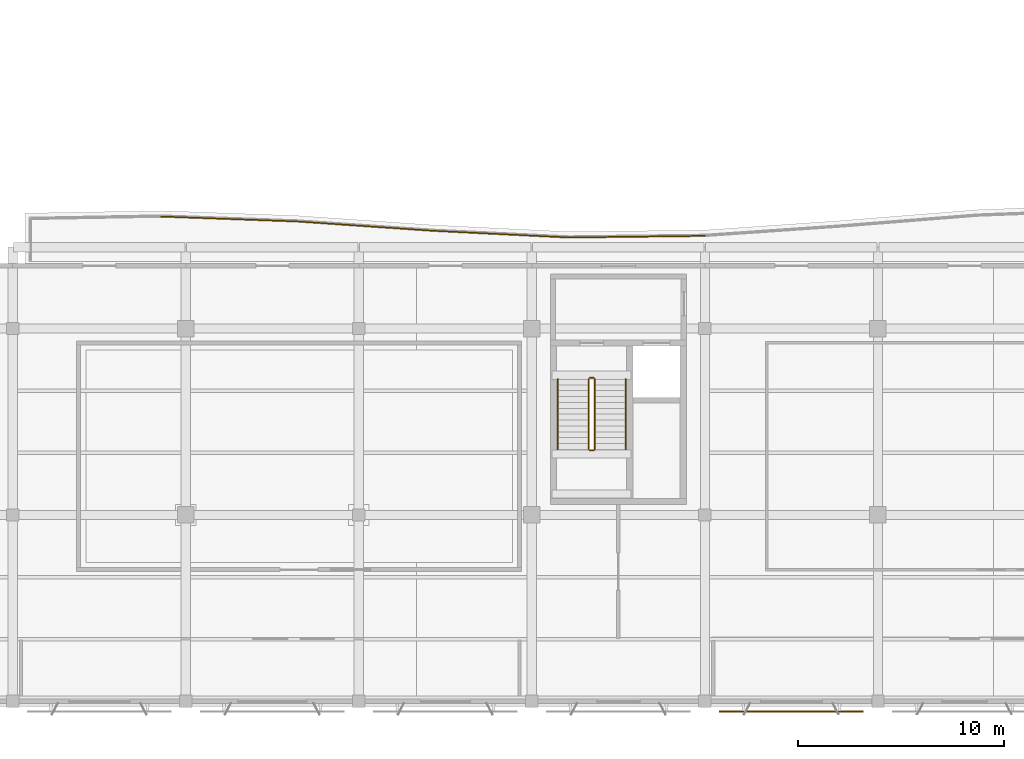
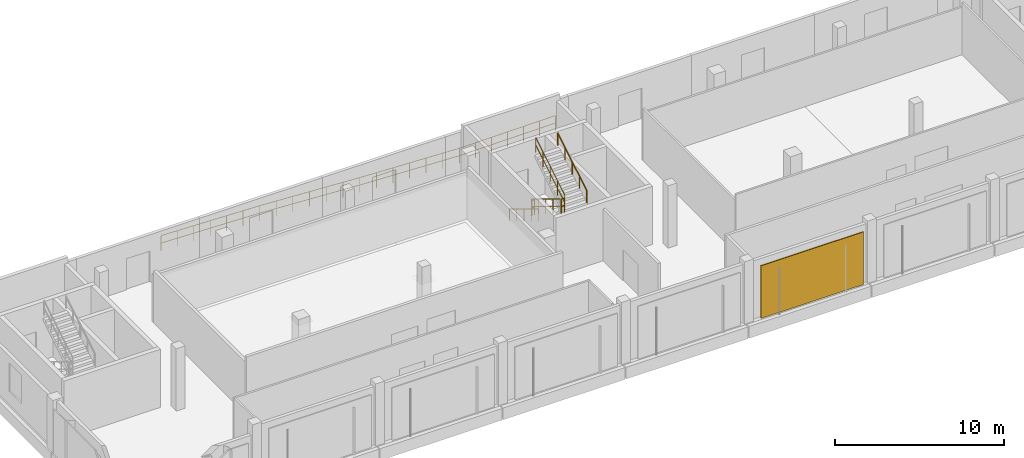
# One storey, part 25 of 28: 10 railings, 1 shading device.
"""IFC4 building model written with IfcOpenShell, lengths in metres."""

from ifc_helpers import new_model, si_unit, direction, frame, origin, origin_2d, place, context, subcontext, project, spatial, rectangle, circle, extrude, material, layer, layer_set, type_object, element, save


model = new_model("IFC4")

# Units and contexts
model_context = context("Model", 3, precision=1e-05, world=origin(), true_north=direction((0.0, 1.0)))
body_context = subcontext(model_context, "Body", "Model", "MODEL_VIEW")
ifc_project = project(units=[si_unit("LENGTHUNIT", "METRE"), si_unit("AREAUNIT", "SQUARE_METRE"), si_unit("VOLUMEUNIT", "CUBIC_METRE"), si_unit("PLANEANGLEUNIT", "RADIAN"), si_unit("MASSUNIT", "GRAM", prefix="KILO")], contexts=[model_context])

# Site, building, storey
site_placement = place(None, origin())
site = spatial("IfcSite", under=ifc_project, at=site_placement, CompositionType="ELEMENT")
building_placement = place(site_placement, origin())
building = spatial("IfcBuilding", under=site, at=building_placement, Name="Khurvash Pelagic Aquarium", CompositionType="ELEMENT")
storey_placement = place(building_placement, frame((0.0, 0.0, 20.10009765625)))
storey = spatial("IfcBuildingStorey", under=building, at=storey_placement, Name="L04", CompositionType="ELEMENT", Elevation=20.10009765625)

# Railings
ifc_material_1 = material(Name="Laminated glass and stainless steel 316", Category="steel")
railing_type_1 = type_object("IfcRailingType", Name="BL-01", PredefinedType="BALUSTRADE", material=ifc_material_1)
railing_1_placement = place(storey_placement, frame((40.797119140625, 26.137939453125, 0.0)))
element("IfcRailing", 1, at=railing_1_placement, inside=storey, type_object=railing_type_1, Name="L04 Planted Terrace Perimeter Balustrade BL-01 0058", PredefinedType="BALUSTRADE", context=body_context, shape_type="SweptSolid", body=[
    extrude(circle(Radius=0.02392578125, at=origin_2d()), frame((0.0, 0.0, 1.076171875), z_axis=(0.999353193624, -0.035961012119, 0.0), x_axis=(0.035961012119, 0.999353193624, 0.0)), (0.0, 0.0, 1.0), 6.592041015625),
    extrude(circle(Radius=0.02392578125, at=origin_2d()), frame((0.0, 0.0, 0.5380859375), z_axis=(0.999353193624, -0.035961012119, 0.0), x_axis=(0.035961012119, 0.999353193624, 0.0)), (0.0, 0.0, 1.0), 6.592041015625),
    extrude(circle(Radius=0.02099609375, at=origin_2d()), origin(), (0.0, 0.0, 1.0), 1.052001953125),
    extrude(circle(Radius=0.02099609375, at=origin_2d()), frame((1.097900390625, -0.03955078125, 0.0)), (0.0, 0.0, 1.0), 1.052001953125),
    extrude(circle(Radius=0.02099609375, at=origin_2d()), frame((2.196044921875, -0.0791015625, 0.0)), (0.0, 0.0, 1.0), 1.052001953125),
    extrude(circle(Radius=0.02099609375, at=origin_2d()), frame((3.2939453125, -0.11865234375, 0.0)), (0.0, 0.0, 1.0), 1.052001953125),
    extrude(circle(Radius=0.02099609375, at=origin_2d()), frame((4.391845703125, -0.157958984375, 0.0)), (0.0, 0.0, 1.0), 1.052001953125),
    extrude(circle(Radius=0.02099609375, at=origin_2d()), frame((5.489990234375, -0.197509765625, 0.0)), (0.0, 0.0, 1.0), 1.052001953125),
    extrude(circle(Radius=0.02099609375, at=origin_2d()), frame((6.587890625, -0.237060546875, 0.0)), (0.0, 0.0, 1.0), 1.052001953125),
])
railing_2_placement = place(storey_placement, frame((47.385009765625, 25.90087890625, 0.0)))
element("IfcRailing", 2, at=railing_2_placement, inside=storey, type_object=railing_type_1, Name="L04 Planted Terrace Perimeter Balustrade BL-01 0059", PredefinedType="BALUSTRADE", context=body_context, shape_type="SweptSolid", body=[
    extrude(circle(Radius=0.02392578125, at=origin_2d()), frame((0.0, 0.0, 1.076171875), z_axis=(0.997641066422, -0.068646213217, 0.0), x_axis=(0.068646213217, 0.997641066422, 0.0)), (0.0, 0.0, 1.0), 6.611572265625),
    extrude(circle(Radius=0.02392578125, at=origin_2d()), frame((0.0, 0.0, 0.5380859375), z_axis=(0.997641066422, -0.068646213217, 0.0), x_axis=(0.068646213217, 0.997641066422, 0.0)), (0.0, 0.0, 1.0), 6.611572265625),
    extrude(circle(Radius=0.02099609375, at=origin_2d()), origin(), (0.0, 0.0, 1.0), 1.052001953125),
    extrude(circle(Radius=0.02099609375, at=origin_2d()), frame((1.099365234375, -0.07568359375, 0.0)), (0.0, 0.0, 1.0), 1.052001953125),
    extrude(circle(Radius=0.02099609375, at=origin_2d()), frame((2.19873046875, -0.1513671875, 0.0)), (0.0, 0.0, 1.0), 1.052001953125),
    extrude(circle(Radius=0.02099609375, at=origin_2d()), frame((3.2978515625, -0.22705078125, 0.0)), (0.0, 0.0, 1.0), 1.052001953125),
    extrude(circle(Radius=0.02099609375, at=origin_2d()), frame((4.397216796875, -0.302490234375, 0.0)), (0.0, 0.0, 1.0), 1.052001953125),
    extrude(circle(Radius=0.02099609375, at=origin_2d()), frame((5.49658203125, -0.378173828125, 0.0)), (0.0, 0.0, 1.0), 1.052001953125),
    extrude(circle(Radius=0.02099609375, at=origin_2d()), frame((6.595947265625, -0.453857421875, 0.0)), (0.0, 0.0, 1.0), 1.052001953125),
])
railing_3_placement = place(storey_placement, frame((53.986083984375, 25.446044921875, 0.0)))
element("IfcRailing", 3, at=railing_3_placement, inside=storey, type_object=railing_type_1, Name="L04 Planted Terrace Perimeter Balustrade BL-01 0060", PredefinedType="BALUSTRADE", context=body_context, shape_type="SweptSolid", body=[
    extrude(circle(Radius=0.02392578125, at=origin_2d()), frame((0.0, 0.0, 1.076171875), z_axis=(0.998790101631, -0.049176548118, 0.0), x_axis=(0.049176548118, 0.998790101631, 0.0)), (0.0, 0.0, 1.0), 6.60791015625),
    extrude(circle(Radius=0.02392578125, at=origin_2d()), frame((0.0, 0.0, 0.5380859375), z_axis=(0.998790101631, -0.049176548118, 0.0), x_axis=(0.049176548118, 0.998790101631, 0.0)), (0.0, 0.0, 1.0), 6.60791015625),
    extrude(circle(Radius=0.02099609375, at=origin_2d()), origin(), (0.0, 0.0, 1.0), 1.052001953125),
    extrude(circle(Radius=0.02099609375, at=origin_2d()), frame((1.10009765625, -0.05419921875, 0.0)), (0.0, 0.0, 1.0), 1.052001953125),
    extrude(circle(Radius=0.02099609375, at=origin_2d()), frame((2.199951171875, -0.1083984375, 0.0)), (0.0, 0.0, 1.0), 1.052001953125),
    extrude(circle(Radius=0.02099609375, at=origin_2d()), frame((3.2998046875, -0.16259765625, 0.0)), (0.0, 0.0, 1.0), 1.052001953125),
    extrude(circle(Radius=0.02099609375, at=origin_2d()), frame((4.39990234375, -0.216552734375, 0.0)), (0.0, 0.0, 1.0), 1.052001953125),
    extrude(circle(Radius=0.02099609375, at=origin_2d()), frame((5.5, -0.270751953125, 0.0)), (0.0, 0.0, 1.0), 1.052001953125),
    extrude(circle(Radius=0.02099609375, at=origin_2d()), frame((6.599853515625, -0.324951171875, 0.0)), (0.0, 0.0, 1.0), 1.052001953125),
])
railing_4_placement = place(storey_placement, frame((60.60302734375, 25.12109375, 0.0)))
element("IfcRailing", 4, at=railing_4_placement, inside=storey, type_object=railing_type_1, Name="L04 Planted Terrace Perimeter Balustrade BL-01 0061", PredefinedType="BALUSTRADE", context=body_context, shape_type="SweptSolid", body=[
    extrude(circle(Radius=0.02392578125, at=origin_2d()), frame((0.0, 0.0, 1.076171875), z_axis=(0.999928625996, 0.01194750661, 0.0), x_axis=(-0.01194750661, 0.999928625996, 0.0)), (0.0, 0.0, 1.0), 6.600341796875),
    extrude(circle(Radius=0.02392578125, at=origin_2d()), frame((0.0, 0.0, 0.5380859375), z_axis=(0.999928625996, 0.01194750661, 0.0), x_axis=(-0.01194750661, 0.999928625996, 0.0)), (0.0, 0.0, 1.0), 6.600341796875),
    extrude(circle(Radius=0.02099609375, at=origin_2d()), origin(), (0.0, 0.0, 1.0), 1.052001953125),
    extrude(circle(Radius=0.02099609375, at=origin_2d()), frame((1.10009765625, 0.01318359375, 0.0)), (0.0, 0.0, 1.0), 1.052001953125),
    extrude(circle(Radius=0.02099609375, at=origin_2d()), frame((2.199951171875, 0.0263671875, 0.0)), (0.0, 0.0, 1.0), 1.052001953125),
    extrude(circle(Radius=0.02099609375, at=origin_2d()), frame((3.2998046875, 0.03955078125, 0.0)), (0.0, 0.0, 1.0), 1.052001953125),
    extrude(circle(Radius=0.02099609375, at=origin_2d()), frame((4.39990234375, 0.052490234375, 0.0)), (0.0, 0.0, 1.0), 1.052001953125),
    extrude(circle(Radius=0.02099609375, at=origin_2d()), frame((5.5, 0.065673828125, 0.0)), (0.0, 0.0, 1.0), 1.052001953125),
    extrude(circle(Radius=0.02099609375, at=origin_2d()), frame((6.599853515625, 0.078857421875, 0.0)), (0.0, 0.0, 1.0), 1.052001953125),
])
ifc_material_2 = material(Name="Powder-coated galvanised steel S355J2", Category="steel")
railing_type_2 = type_object("IfcRailingType", Name="GR-01", PredefinedType="GUARDRAIL", material=ifc_material_2)
railing_5_placement = place(storey_placement, frame((61.550048828125, 18.25, 0.173095703125)))
element("IfcRailing", 5, at=railing_5_placement, inside=storey, type_object=railing_type_2, Name="L04 ST-02 stair guard 1", PredefinedType="GUARDRAIL", context=body_context, shape_type="SweptSolid", body=[
    extrude(circle(Radius=0.02392578125, at=origin_2d()), frame((0.0, 0.0, 1.076171875), z_axis=(0.0, -0.854729506542, 0.519073665916), x_axis=(1.0, 0.0, 0.0)), (0.0, 0.0, 1.0), 4.001220703125),
    extrude(circle(Radius=0.02392578125, at=origin_2d()), frame((0.0, 0.0, 0.5380859375), z_axis=(0.0, -0.854729506542, 0.519073665916), x_axis=(1.0, 0.0, 0.0)), (0.0, 0.0, 1.0), 4.001220703125),
    extrude(circle(Radius=0.02099609375, at=origin_2d()), origin(), (0.0, 0.0, 1.0), 1.052001953125),
    extrude(circle(Radius=0.02099609375, at=origin_2d()), frame((0.0, -0.85498046875, 0.519287109375)), (0.0, 0.0, 1.0), 1.052001953125),
    extrude(circle(Radius=0.02099609375, at=origin_2d()), frame((0.0, -1.7099609375, 1.03857421875)), (0.0, 0.0, 1.0), 1.052001953125),
    extrude(circle(Radius=0.02099609375, at=origin_2d()), frame((0.0, -2.56494140625, 1.5576171875)), (0.0, 0.0, 1.0), 1.052001953125),
    extrude(circle(Radius=0.02099609375, at=origin_2d()), frame((0.0, -3.419921875, 2.076904296875)), (0.0, 0.0, 1.0), 1.052001953125),
])
railing_6_placement = place(storey_placement, frame((61.60009765625, 14.780029296875, 2.25)))
element("IfcRailing", 6, at=railing_6_placement, inside=storey, type_object=railing_type_2, Name="L04 ST-02 stair guard 2", PredefinedType="GUARDRAIL", context=body_context, shape_type="SweptSolid", body=[
    extrude(circle(Radius=0.02392578125, at=origin_2d()), frame((0.0, 0.0, 1.076171875), z_axis=(1.0, 0.0, 0.0), x_axis=(0.0, 1.0, 0.0)), (0.0, 0.0, 1.0), 0.199951171875),
    extrude(circle(Radius=0.02392578125, at=origin_2d()), frame((0.0, 0.0, 0.5380859375), z_axis=(1.0, 0.0, 0.0), x_axis=(0.0, 1.0, 0.0)), (0.0, 0.0, 1.0), 0.199951171875),
    extrude(circle(Radius=0.02099609375, at=origin_2d()), origin(), (0.0, 0.0, 1.0), 1.052001953125),
    extrude(circle(Radius=0.02099609375, at=origin_2d()), frame((0.199951171875, 0.0, 0.0)), (0.0, 0.0, 1.0), 1.052001953125),
])
railing_7_placement = place(storey_placement, frame((61.85009765625, 14.830078125, 2.423095703125)))
element("IfcRailing", 7, at=railing_7_placement, inside=storey, type_object=railing_type_2, Name="L04 ST-02 stair guard 3", PredefinedType="GUARDRAIL", context=body_context, shape_type="SweptSolid", body=[
    extrude(circle(Radius=0.02392578125, at=origin_2d()), frame((0.0, 0.0, 1.076171875), z_axis=(0.0, 0.854729506542, 0.519073665916), x_axis=(-1.0, 0.0, 0.0)), (0.0, 0.0, 1.0), 4.001220703125),
    extrude(circle(Radius=0.02392578125, at=origin_2d()), frame((0.0, 0.0, 0.5380859375), z_axis=(0.0, 0.854729506542, 0.519073665916), x_axis=(-1.0, 0.0, 0.0)), (0.0, 0.0, 1.0), 4.001220703125),
    extrude(circle(Radius=0.02099609375, at=origin_2d()), origin(), (0.0, 0.0, 1.0), 1.052001953125),
    extrude(circle(Radius=0.02099609375, at=origin_2d()), frame((0.0, 0.85498046875, 0.519287109375)), (0.0, 0.0, 1.0), 1.052001953125),
    extrude(circle(Radius=0.02099609375, at=origin_2d()), frame((0.0, 1.7099609375, 1.03857421875)), (0.0, 0.0, 1.0), 1.052001953125),
    extrude(circle(Radius=0.02099609375, at=origin_2d()), frame((0.0, 2.56494140625, 1.5576171875)), (0.0, 0.0, 1.0), 1.052001953125),
    extrude(circle(Radius=0.02099609375, at=origin_2d()), frame((0.0, 3.419921875, 2.076904296875)), (0.0, 0.0, 1.0), 1.052001953125),
])
railing_8_placement = place(storey_placement, frame((61.60009765625, 18.300048828125, 0.0)))
element("IfcRailing", 8, at=railing_8_placement, inside=storey, type_object=railing_type_2, Name="L04 ST-02 stair guard 4", PredefinedType="GUARDRAIL", context=body_context, shape_type="SweptSolid", body=[
    extrude(circle(Radius=0.02392578125, at=origin_2d()), frame((0.0, 0.0, 1.076171875), z_axis=(1.0, 0.0, 0.0), x_axis=(0.0, 1.0, 0.0)), (0.0, 0.0, 1.0), 0.199951171875),
    extrude(circle(Radius=0.02392578125, at=origin_2d()), frame((0.0, 0.0, 0.5380859375), z_axis=(1.0, 0.0, 0.0), x_axis=(0.0, 1.0, 0.0)), (0.0, 0.0, 1.0), 0.199951171875),
    extrude(circle(Radius=0.02099609375, at=origin_2d()), origin(), (0.0, 0.0, 1.0), 1.052001953125),
    extrude(circle(Radius=0.02099609375, at=origin_2d()), frame((0.199951171875, 0.0, 0.0)), (0.0, 0.0, 1.0), 1.052001953125),
])
ifc_material_3 = material(Name="Brushed stainless steel 316", Category="steel")
railing_type_3 = type_object("IfcRailingType", Name="HR-01", PredefinedType="HANDRAIL", material=ifc_material_3)
railing_9_placement = place(storey_placement, frame((60.050048828125, 18.25, 0.173095703125)))
element("IfcRailing", 9, at=railing_9_placement, inside=storey, type_object=railing_type_3, Name="L04 ST-02 stair handrail 1", PredefinedType="HANDRAIL", context=body_context, shape_type="SweptSolid", body=[
    extrude(circle(Radius=0.02392578125, at=origin_2d()), frame((0.0, 0.0, 0.8759765625), z_axis=(0.0, -0.854729506542, 0.519073665916), x_axis=(1.0, 0.0, 0.0)), (0.0, 0.0, 1.0), 4.001220703125),
    extrude(circle(Radius=0.02099609375, at=origin_2d()), origin(), (0.0, 0.0, 1.0), 0.851806640625),
    extrude(circle(Radius=0.02099609375, at=origin_2d()), frame((0.0, -0.85498046875, 0.519287109375)), (0.0, 0.0, 1.0), 0.851806640625),
    extrude(circle(Radius=0.02099609375, at=origin_2d()), frame((0.0, -1.7099609375, 1.03857421875)), (0.0, 0.0, 1.0), 0.851806640625),
    extrude(circle(Radius=0.02099609375, at=origin_2d()), frame((0.0, -2.56494140625, 1.5576171875)), (0.0, 0.0, 1.0), 0.851806640625),
    extrude(circle(Radius=0.02099609375, at=origin_2d()), frame((0.0, -3.419921875, 2.076904296875)), (0.0, 0.0, 1.0), 0.851806640625),
])
railing_10_placement = place(storey_placement, frame((63.35009765625, 14.830078125, 2.423095703125)))
element("IfcRailing", 10, at=railing_10_placement, inside=storey, type_object=railing_type_3, Name="L04 ST-02 stair handrail 2", PredefinedType="HANDRAIL", context=body_context, shape_type="SweptSolid", body=[
    extrude(circle(Radius=0.02392578125, at=origin_2d()), frame((0.0, 0.0, 0.8759765625), z_axis=(0.0, 0.854729506542, 0.519073665916), x_axis=(-1.0, 0.0, 0.0)), (0.0, 0.0, 1.0), 4.001220703125),
    extrude(circle(Radius=0.02099609375, at=origin_2d()), origin(), (0.0, 0.0, 1.0), 0.851806640625),
    extrude(circle(Radius=0.02099609375, at=origin_2d()), frame((0.0, 0.85498046875, 0.519287109375)), (0.0, 0.0, 1.0), 0.851806640625),
    extrude(circle(Radius=0.02099609375, at=origin_2d()), frame((0.0, 1.7099609375, 1.03857421875)), (0.0, 0.0, 1.0), 0.851806640625),
    extrude(circle(Radius=0.02099609375, at=origin_2d()), frame((0.0, 2.56494140625, 1.5576171875)), (0.0, 0.0, 1.0), 0.851806640625),
    extrude(circle(Radius=0.02099609375, at=origin_2d()), frame((0.0, 3.419921875, 2.076904296875)), (0.0, 0.0, 1.0), 0.851806640625),
])

# Shading device
ifc_material_4 = material(Name="Perforated anodised aluminium AW-5005", Category="aluminium")
ifc_layer = layer(ifc_material_4, 0.06005859375)
ifc_layer_set = layer_set([ifc_layer], Name="Perforated anodised aluminium AW-5005")
shading_device_type = type_object("IfcShadingDeviceType", Name="SH-JAL", PredefinedType="JALOUSIE", material=ifc_layer_set)
shading_device_placement = place(storey_placement, frame((71.39990234375, 2.110107421875, 0.19970703125), z_axis=(0.0, 0.0, 1.0), x_axis=(1.0, 0.0, 0.0)))
element("IfcShadingDevice", 11, at=shading_device_placement, inside=storey, type_object=shading_device_type, Name="L04 Perforated Aluminium Jali Screen SH-JAL 0060", PredefinedType="JALOUSIE", context=body_context, shape_type="SweptSolid", body=[
    extrude(rectangle(XDim=6.989990234375, YDim=0.06005859375, at=origin_2d()), origin(), (0.0, 0.0, 1.0), 3.800048828125),
])

save(model, "model.ifc")
